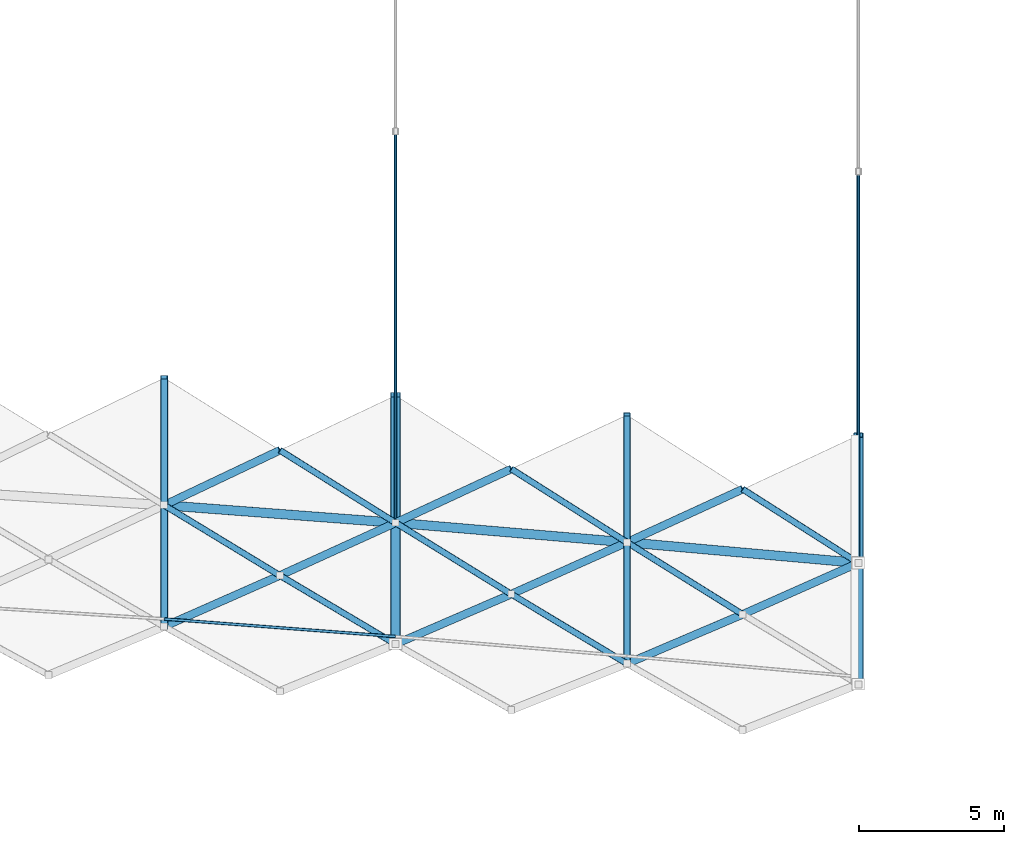
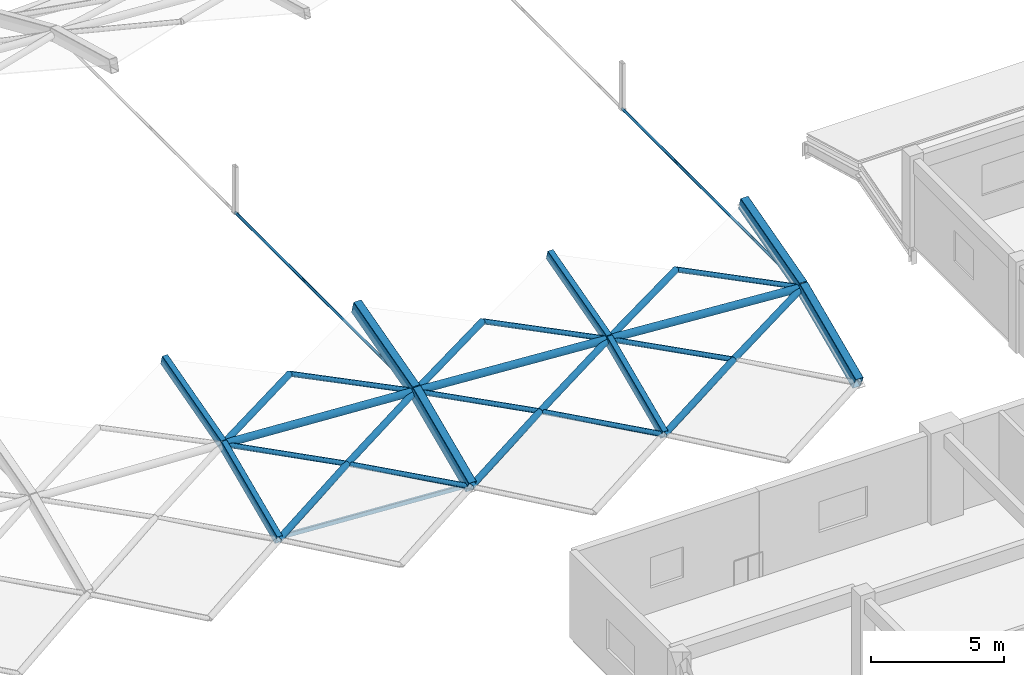
# One storey, part 13 of 54: 23 members, 8 beams.
"""IFC4 building model written with IfcOpenShell, lengths in metres."""

from ifc_helpers import new_model, si_unit, direction, frame, origin, origin_2d, place, context, subcontext, project, spatial, hollow_rectangle, hollow_circle, extrude, material, material_profile, profile_set, type_object, element, save


model = new_model("IFC4")

# Units and contexts
model_context = context("Model", 3, precision=1e-05, world=origin(), true_north=direction((0.0, 1.0)))
body_context = subcontext(model_context, "Body", "Model", "MODEL_VIEW")
ifc_project = project(units=[si_unit("LENGTHUNIT", "METRE"), si_unit("AREAUNIT", "SQUARE_METRE"), si_unit("VOLUMEUNIT", "CUBIC_METRE"), si_unit("PLANEANGLEUNIT", "RADIAN"), si_unit("MASSUNIT", "GRAM", prefix="KILO")], contexts=[model_context])

# Site, building, storey
site_placement = place(None, origin())
site = spatial("IfcSite", under=ifc_project, at=site_placement, CompositionType="ELEMENT")
building_placement = place(site_placement, origin())
building = spatial("IfcBuilding", under=site, at=building_placement, Name="Kenh Van Central Station", CompositionType="ELEMENT")
storey_placement = place(building_placement, frame((0.0, 0.0, 15.0)))
storey = spatial("IfcBuildingStorey", under=building, at=storey_placement, Name="L03", CompositionType="ELEMENT", Elevation=15.0)

# Beams
ifc_material = material(Name="White fluoropolymer structural steel S355", Category="steel")
ifc_material_profile_1 = material_profile(ifc_material, hollow_rectangle(XDim=0.35009765625, YDim=0.60009765625, WallThickness=0.01611328125, InnerFilletRadius=0.01611328125, OuterFilletRadius=0.031982421875, at=origin_2d()), Name="RHS 600x350x16")
ifc_profile_set_1 = profile_set([ifc_material_profile_1], Name="White fluoropolymer structural steel S355")
beam_type_1 = type_object("IfcBeamType", Name="BM-VAULT-ARCH600", PredefinedType="BEAM", material=ifc_profile_set_1)
beam_1_placement = place(storey_placement, frame((128.0, 71.657958984375, 2.228515625), z_axis=(0.0, 0.915771703278, 0.401699125561), x_axis=(-1.0, 0.0, 0.0)))
element("IfcBeam", 1, at=beam_1_placement, inside=storey, type_object=beam_type_1, Name="Vault transverse arch 144", PredefinedType="BEAM", context=body_context, shape_type="SweptSolid", body=[
    extrude(hollow_rectangle(XDim=0.35009765625, YDim=0.60009765625, WallThickness=0.01611328125, InnerFilletRadius=0.01611328125, OuterFilletRadius=0.031982421875, at=origin_2d()), origin(), (0.0, 0.0, 1.0), 4.58203125),
])
beam_2_placement = place(storey_placement, frame((128.0, 75.85400390625, 4.069091796875), z_axis=(0.0, 0.96438556277, 0.26450044673), x_axis=(-1.0, 0.0, 0.0)))
element("IfcBeam", 2, at=beam_2_placement, inside=storey, type_object=beam_type_1, Name="Vault transverse arch 145", PredefinedType="BEAM", context=body_context, shape_type="SweptSolid", body=[
    extrude(hollow_rectangle(XDim=0.35009765625, YDim=0.60009765625, WallThickness=0.01611328125, InnerFilletRadius=0.01611328125, OuterFilletRadius=0.031982421875, at=origin_2d()), origin(), (0.0, 0.0, 1.0), 4.584716796875),
])
beam_3_placement = place(storey_placement, frame((144.0, 70.26953125, 2.228515625), z_axis=(0.0, 0.91578030048, 0.401679525559), x_axis=(-1.0, 0.0, 0.0)))
element("IfcBeam", 3, at=beam_3_placement, inside=storey, type_object=beam_type_1, Name="Vault transverse arch 168", PredefinedType="BEAM", context=body_context, shape_type="SweptSolid", body=[
    extrude(hollow_rectangle(XDim=0.35009765625, YDim=0.60009765625, WallThickness=0.01611328125, InnerFilletRadius=0.01611328125, OuterFilletRadius=0.031982421875, at=origin_2d()), origin(), (0.0, 0.0, 1.0), 4.582275390625),
])
beam_4_placement = place(storey_placement, frame((144.0, 74.4658203125, 4.069091796875), z_axis=(0.0, 0.964381836979, 0.264514030829), x_axis=(-1.0, 0.0, 0.0)))
element("IfcBeam", 4, at=beam_4_placement, inside=storey, type_object=beam_type_1, Name="Vault transverse arch 169", PredefinedType="BEAM", context=body_context, shape_type="SweptSolid", body=[
    extrude(hollow_rectangle(XDim=0.35009765625, YDim=0.60009765625, WallThickness=0.01611328125, InnerFilletRadius=0.01611328125, OuterFilletRadius=0.031982421875, at=origin_2d()), origin(), (0.0, 0.0, 1.0), 4.58447265625),
])
ifc_material_profile_2 = material_profile(ifc_material, hollow_rectangle(XDim=0.25, YDim=0.449951171875, WallThickness=0.012451171875, InnerFilletRadius=0.012451171875, OuterFilletRadius=0.02490234375, at=origin_2d()), Name="RHS 450x250x12.5")
ifc_profile_set_2 = profile_set([ifc_material_profile_2], Name="White fluoropolymer structural steel S355")
beam_type_2 = type_object("IfcBeamType", Name="BM-VAULT-SUB450", PredefinedType="BEAM", material=ifc_profile_set_2)
beam_5_placement = place(storey_placement, frame((120.0, 72.2646484375, 2.228515625), z_axis=(0.0, 0.91578030048, 0.401679525559), x_axis=(-1.0, 0.0, 0.0)))
element("IfcBeam", 5, at=beam_5_placement, inside=storey, type_object=beam_type_2, Name="Vault transverse arch 132", PredefinedType="BEAM", context=body_context, shape_type="SweptSolid", body=[
    extrude(hollow_rectangle(XDim=0.25, YDim=0.449951171875, WallThickness=0.012451171875, InnerFilletRadius=0.012451171875, OuterFilletRadius=0.02490234375, at=origin_2d()), origin(), (0.0, 0.0, 1.0), 4.582275390625),
])
beam_6_placement = place(storey_placement, frame((120.0, 76.4609375, 4.069091796875), z_axis=(0.0, 0.964381836979, 0.264514030829), x_axis=(-1.0, 0.0, 0.0)))
element("IfcBeam", 6, at=beam_6_placement, inside=storey, type_object=beam_type_2, Name="Vault transverse arch 133", PredefinedType="BEAM", context=body_context, shape_type="SweptSolid", body=[
    extrude(hollow_rectangle(XDim=0.25, YDim=0.449951171875, WallThickness=0.012451171875, InnerFilletRadius=0.012451171875, OuterFilletRadius=0.02490234375, at=origin_2d()), origin(), (0.0, 0.0, 1.0), 4.58447265625),
])
beam_7_placement = place(storey_placement, frame((136.0, 70.9814453125, 2.228515625), z_axis=(0.0, 0.91578030048, 0.401679525559), x_axis=(-1.0, 0.0, 0.0)))
element("IfcBeam", 7, at=beam_7_placement, inside=storey, type_object=beam_type_2, Name="Vault transverse arch 156", PredefinedType="BEAM", context=body_context, shape_type="SweptSolid", body=[
    extrude(hollow_rectangle(XDim=0.25, YDim=0.449951171875, WallThickness=0.012451171875, InnerFilletRadius=0.012451171875, OuterFilletRadius=0.02490234375, at=origin_2d()), origin(), (0.0, 0.0, 1.0), 4.582275390625),
])
beam_8_placement = place(storey_placement, frame((136.0, 75.177734375, 4.069091796875), z_axis=(0.0, 0.96438556277, 0.26450044673), x_axis=(-1.0, 0.0, 0.0)))
element("IfcBeam", 8, at=beam_8_placement, inside=storey, type_object=beam_type_2, Name="Vault transverse arch 157", PredefinedType="BEAM", context=body_context, shape_type="SweptSolid", body=[
    extrude(hollow_rectangle(XDim=0.25, YDim=0.449951171875, WallThickness=0.012451171875, InnerFilletRadius=0.012451171875, OuterFilletRadius=0.02490234375, at=origin_2d()), origin(), (0.0, 0.0, 1.0), 4.584716796875),
])

# Members
ifc_material_profile_3 = material_profile(ifc_material, hollow_rectangle(XDim=0.10009765625, YDim=0.199951171875, WallThickness=0.008056640625, InnerFilletRadius=0.008056640625, OuterFilletRadius=0.01611328125, at=origin_2d()), Name="RHS 200x100x8")
ifc_profile_set_3 = profile_set([ifc_material_profile_3], Name="White fluoropolymer structural steel S355")
member_type_1 = type_object("IfcMemberType", Name="MEM-PUR-RHS200", PredefinedType="PURLIN", material=ifc_profile_set_3)
member_1_placement = place(storey_placement, frame((120.0, 72.52783203125, 2.13330078125), z_axis=(0.997136780926, -0.075619046039, 0.0), x_axis=(0.075619046039, 0.997136780926, 0.0)))
element("IfcMember", 9, at=member_1_placement, inside=storey, type_object=member_type_1, Name="Vault longitudinal purlin 012", PredefinedType="PURLIN", context=body_context, shape_type="SweptSolid", body=[
    extrude(hollow_rectangle(XDim=0.10009765625, YDim=0.199951171875, WallThickness=0.008056640625, InnerFilletRadius=0.008056640625, OuterFilletRadius=0.01611328125, at=origin_2d()), origin(), (0.0, 0.0, 1.0), 8.02294921875),
])
ifc_material_profile_4 = material_profile(ifc_material, hollow_circle(Radius=0.109619140625, WallThickness=0.008056640625, at=origin_2d()), Name="CHS 219.1x8")
ifc_profile_set_4 = profile_set([ifc_material_profile_4], Name="White fluoropolymer structural steel S355")
member_type_2 = type_object("IfcMemberType", Name="MEM-VAULT-BRC219", PredefinedType="BRACE", material=ifc_profile_set_4)
member_2_placement = place(storey_placement, frame((120.0, 76.4609375, 4.069091796875), z_axis=(0.84148717473, -0.511137717463, -0.175035906462), x_axis=(0.51915236542, 0.854681707701, 0.0)))
element("IfcMember", 10, at=member_2_placement, inside=storey, type_object=member_type_2, Name="Vault diamond grid member 0519", PredefinedType="BRACE", context=body_context, shape_type="SweptSolid", body=[
    extrude(hollow_circle(Radius=0.109619140625, WallThickness=0.008056640625, at=origin_2d()), origin(), (0.0, 0.0, 1.0), 4.75341796875),
])
member_3_placement = place(storey_placement, frame((124.0, 74.03125, 3.237060546875), z_axis=(0.840483171326, -0.498677789823, -0.211916258591), x_axis=(0.51026706297, 0.860016002437, 0.0)))
element("IfcMember", 11, at=member_3_placement, inside=storey, type_object=member_type_2, Name="Vault diamond grid member 0542", PredefinedType="BRACE", context=body_context, shape_type="SweptSolid", body=[
    extrude(hollow_circle(Radius=0.109619140625, WallThickness=0.008056640625, at=origin_2d()), origin(), (0.0, 0.0, 1.0), 4.75927734375),
])
member_4_placement = place(storey_placement, frame((124.0, 78.359619140625, 4.74560546875), z_axis=(0.838890115135, -0.525483963112, -0.141880158022), x_axis=(0.530854167719, 0.847463186584, 0.0)))
element("IfcMember", 12, at=member_4_placement, inside=storey, type_object=member_type_2, Name="Vault diamond grid member 0544", PredefinedType="BRACE", context=body_context, shape_type="SweptSolid", body=[
    extrude(hollow_circle(Radius=0.109619140625, WallThickness=0.008056640625, at=origin_2d()), origin(), (0.0, 0.0, 1.0), 4.768310546875),
])
member_5_placement = place(storey_placement, frame((128.0, 75.85400390625, 4.069091796875), z_axis=(0.837991018787, -0.517095288082, -0.174308678713), x_axis=(0.525134541028, 0.851019220593, 0.0)))
element("IfcMember", 13, at=member_5_placement, inside=storey, type_object=member_type_2, Name="Vault diamond grid member 0567", PredefinedType="BRACE", context=body_context, shape_type="SweptSolid", body=[
    extrude(hollow_circle(Radius=0.109619140625, WallThickness=0.008056640625, at=origin_2d()), origin(), (0.0, 0.0, 1.0), 4.7734375),
])
member_6_placement = place(storey_placement, frame((132.0, 73.3857421875, 3.237060546875), z_axis=(0.837748119069, -0.503548796179, -0.211226652824), x_axis=(0.515172579169, 0.857086468025, 0.0)))
element("IfcMember", 14, at=member_6_placement, inside=storey, type_object=member_type_2, Name="Vault diamond grid member 0590", PredefinedType="BRACE", context=body_context, shape_type="SweptSolid", body=[
    extrude(hollow_circle(Radius=0.109619140625, WallThickness=0.008056640625, at=origin_2d()), origin(), (0.0, 0.0, 1.0), 4.774658203125),
])
member_7_placement = place(storey_placement, frame((132.0, 77.7138671875, 4.74560546875), z_axis=(0.83606589215, -0.530093535623, -0.141402501657), x_axis=(0.535473877011, 0.844551790619, 0.0)))
element("IfcMember", 15, at=member_7_placement, inside=storey, type_object=member_type_2, Name="Vault diamond grid member 0592", PredefinedType="BRACE", context=body_context, shape_type="SweptSolid", body=[
    extrude(hollow_circle(Radius=0.109619140625, WallThickness=0.008056640625, at=origin_2d()), origin(), (0.0, 0.0, 1.0), 4.784423828125),
])
member_8_placement = place(storey_placement, frame((136.0, 75.177734375, 4.069091796875), z_axis=(0.83595022093, -0.520530038692, -0.173884176815), x_axis=(0.528582404455, 0.848881995156, 0.0)))
element("IfcMember", 16, at=member_8_placement, inside=storey, type_object=member_type_2, Name="Vault diamond grid member 0615", PredefinedType="BRACE", context=body_context, shape_type="SweptSolid", body=[
    extrude(hollow_circle(Radius=0.109619140625, WallThickness=0.008056640625, at=origin_2d()), origin(), (0.0, 0.0, 1.0), 4.784912109375),
])
member_9_placement = place(storey_placement, frame((140.0, 77.015380859375, 4.74560546875), z_axis=(0.834821509295, -0.532106995945, -0.141192041153), x_axis=(0.537491464035, 0.843269189577, 0.0)))
element("IfcMember", 17, at=member_9_placement, inside=storey, type_object=member_type_2, Name="Vault diamond grid member 0640", PredefinedType="BRACE", context=body_context, shape_type="SweptSolid", body=[
    extrude(hollow_circle(Radius=0.109619140625, WallThickness=0.008056640625, at=origin_2d()), origin(), (0.0, 0.0, 1.0), 4.79150390625),
])
ifc_material_profile_5 = material_profile(ifc_material, hollow_circle(Radius=0.05712890625, WallThickness=0.010009765625, at=origin_2d()), Name="CHS 114.3x10")
ifc_profile_set_5 = profile_set([ifc_material_profile_5], Name="White fluoropolymer structural steel S355")
member_type_3 = type_object("IfcMemberType", Name="MEM-VAULT-CBL114", PredefinedType="BRACE", material=ifc_profile_set_5)
member_10_placement = place(storey_placement, frame((128.0, 75.85400390625, 4.069091796875), z_axis=(0.0, 1.0, 0.0), x_axis=(-1.0, 0.0, 0.0)))
element("IfcMember", 18, at=member_10_placement, inside=storey, type_object=member_type_3, Name="Vault internal bowstring tension tie 13", PredefinedType="BRACE", context=body_context, shape_type="SweptSolid", body=[
    extrude(hollow_circle(Radius=0.05712890625, WallThickness=0.010009765625, at=origin_2d()), origin(), (0.0, 0.0, 1.0), 13.534423828125),
])
member_11_placement = place(storey_placement, frame((144.0, 74.4658203125, 4.069091796875), z_axis=(0.0, 1.0, 0.0), x_axis=(-1.0, 0.0, 0.0)))
element("IfcMember", 19, at=member_11_placement, inside=storey, type_object=member_type_3, Name="Vault internal bowstring tension tie 15", PredefinedType="BRACE", context=body_context, shape_type="SweptSolid", body=[
    extrude(hollow_circle(Radius=0.05712890625, WallThickness=0.010009765625, at=origin_2d()), origin(), (0.0, 0.0, 1.0), 13.5341796875),
])
ifc_material_profile_6 = material_profile(ifc_material, hollow_circle(Radius=0.136474609375, WallThickness=0.010009765625, at=origin_2d()), Name="CHS 273x10")
ifc_profile_set_6 = profile_set([ifc_material_profile_6], Name="White fluoropolymer structural steel S355")
member_type_4 = type_object("IfcMemberType", Name="MEM-VAULT-CHD273", PredefinedType="CHORD", material=ifc_profile_set_6)
member_12_placement = place(storey_placement, frame((120.0, 72.2646484375, 2.228515625), z_axis=(0.891356322354, 0.393667867954, 0.224743223123), x_axis=(-0.404003065048, 0.914757630977, 0.0)))
element("IfcMember", 20, at=member_12_placement, inside=storey, type_object=member_type_4, Name="Vault diamond grid member 0516", PredefinedType="CHORD", context=body_context, shape_type="SweptSolid", body=[
    extrude(hollow_circle(Radius=0.136474609375, WallThickness=0.010009765625, at=origin_2d()), origin(), (0.0, 0.0, 1.0), 4.487548828125),
])
member_13_placement = place(storey_placement, frame((120.0, 76.4609375, 4.069091796875), z_axis=(0.893029293964, 0.423894581247, 0.151036631688), x_axis=(-0.428813862497, 0.903392866548, 0.0)))
element("IfcMember", 21, at=member_13_placement, inside=storey, type_object=member_type_4, Name="Vault diamond grid member 0518", PredefinedType="CHORD", context=body_context, shape_type="SweptSolid", body=[
    extrude(hollow_circle(Radius=0.136474609375, WallThickness=0.010009765625, at=origin_2d()), origin(), (0.0, 0.0, 1.0), 4.479248046875),
])
member_14_placement = place(storey_placement, frame((124.0, 74.03125, 3.237060546875), z_axis=(0.894098495789, 0.407430381443, 0.185979472269), x_axis=(-0.414664776546, 0.909974243093, 0.0)))
element("IfcMember", 22, at=member_14_placement, inside=storey, type_object=member_type_4, Name="Vault diamond grid member 0541", PredefinedType="CHORD", context=body_context, shape_type="SweptSolid", body=[
    extrude(hollow_circle(Radius=0.136474609375, WallThickness=0.010009765625, at=origin_2d()), origin(), (0.0, 0.0, 1.0), 4.473876953125),
])
member_15_placement = place(storey_placement, frame((128.0, 71.657958984375, 2.228515625), z_axis=(0.894373582592, 0.38632091333, 0.225503983746), x_axis=(-0.396534758202, 0.918019708687, 0.0)))
element("IfcMember", 23, at=member_15_placement, inside=storey, type_object=member_type_4, Name="Vault diamond grid member 0564", PredefinedType="CHORD", context=body_context, shape_type="SweptSolid", body=[
    extrude(hollow_circle(Radius=0.136474609375, WallThickness=0.010009765625, at=origin_2d()), origin(), (0.0, 0.0, 1.0), 4.472412109375),
])
member_16_placement = place(storey_placement, frame((128.0, 75.85400390625, 4.069091796875), z_axis=(0.896294275368, 0.416746202988, 0.151588832827), x_axis=(-0.421618579867, 0.906773275472, 0.0)))
element("IfcMember", 24, at=member_16_placement, inside=storey, type_object=member_type_4, Name="Vault diamond grid member 0566", PredefinedType="CHORD", context=body_context, shape_type="SweptSolid", body=[
    extrude(hollow_circle(Radius=0.136474609375, WallThickness=0.010009765625, at=origin_2d()), origin(), (0.0, 0.0, 1.0), 4.462890625),
])
member_17_placement = place(storey_placement, frame((132.0, 73.3857421875, 3.237060546875), z_axis=(0.896592566382, 0.401671718582, 0.186498258437), x_axis=(-0.408844781129, 0.912603936515, 0.0)))
element("IfcMember", 25, at=member_17_placement, inside=storey, type_object=member_type_4, Name="Vault diamond grid member 0589", PredefinedType="CHORD", context=body_context, shape_type="SweptSolid", body=[
    extrude(hollow_circle(Radius=0.136474609375, WallThickness=0.010009765625, at=origin_2d()), origin(), (0.0, 0.0, 1.0), 4.46142578125),
])
member_18_placement = place(storey_placement, frame((136.0, 70.9814453125, 2.228515625), z_axis=(0.896083797461, 0.382082605534, 0.225935190876), x_axis=(-0.392224618177, 0.919869473836, 0.0)))
element("IfcMember", 26, at=member_18_placement, inside=storey, type_object=member_type_4, Name="Vault diamond grid member 0612", PredefinedType="CHORD", context=body_context, shape_type="SweptSolid", body=[
    extrude(hollow_circle(Radius=0.136474609375, WallThickness=0.010009765625, at=origin_2d()), origin(), (0.0, 0.0, 1.0), 4.4638671875),
])
member_19_placement = place(storey_placement, frame((136.0, 75.177734375, 4.069091796875), z_axis=(0.898148398823, 0.412619811886, 0.151902417794), x_axis=(-0.41746427799, 0.908693334741, 0.0)))
element("IfcMember", 27, at=member_19_placement, inside=storey, type_object=member_type_4, Name="Vault diamond grid member 0614", PredefinedType="CHORD", context=body_context, shape_type="SweptSolid", body=[
    extrude(hollow_circle(Radius=0.136474609375, WallThickness=0.010009765625, at=origin_2d()), origin(), (0.0, 0.0, 1.0), 4.45361328125),
])
member_20_placement = place(storey_placement, frame((140.0, 72.68701171875, 3.237060546875), z_axis=(0.897654765878, 0.399189002941, 0.18671920423), x_axis=(-0.406335086538, 0.913724136404, 0.0)))
element("IfcMember", 28, at=member_20_placement, inside=storey, type_object=member_type_4, Name="Vault diamond grid member 0637", PredefinedType="CHORD", context=body_context, shape_type="SweptSolid", body=[
    extrude(hollow_circle(Radius=0.136474609375, WallThickness=0.010009765625, at=origin_2d()), origin(), (0.0, 0.0, 1.0), 4.4560546875),
])
ifc_material_profile_7 = material_profile(ifc_material, hollow_circle(Radius=0.161865234375, WallThickness=0.010009765625, at=origin_2d()), Name="CHS 323.9x10")
ifc_profile_set_7 = profile_set([ifc_material_profile_7], Name="White fluoropolymer structural steel S355")
member_type_5 = type_object("IfcMemberType", Name="MEM-VAULT-CHD324", PredefinedType="CHORD", material=ifc_profile_set_7)
member_21_placement = place(storey_placement, frame((120.0, 76.4609375, 4.069091796875), z_axis=(0.997134485958, -0.075649302127, 0.0), x_axis=(0.075649302127, 0.997134485958, 0.0)))
element("IfcMember", 29, at=member_21_placement, inside=storey, type_object=member_type_5, Name="Vault longitudinal spine chord 26", PredefinedType="CHORD", context=body_context, shape_type="SweptSolid", body=[
    extrude(hollow_circle(Radius=0.161865234375, WallThickness=0.010009765625, at=origin_2d()), origin(), (0.0, 0.0, 1.0), 8.02294921875),
])
member_22_placement = place(storey_placement, frame((128.0, 75.85400390625, 4.069091796875), z_axis=(0.996446063383, -0.084233264025, 0.0), x_axis=(0.084233264025, 0.996446063383, 0.0)))
element("IfcMember", 30, at=member_22_placement, inside=storey, type_object=member_type_5, Name="Vault longitudinal spine chord 27", PredefinedType="CHORD", context=body_context, shape_type="SweptSolid", body=[
    extrude(hollow_circle(Radius=0.161865234375, WallThickness=0.010009765625, at=origin_2d()), origin(), (0.0, 0.0, 1.0), 8.028564453125),
])
member_23_placement = place(storey_placement, frame((136.0, 75.177734375, 4.069091796875), z_axis=(0.996063818854, -0.088638979974, 0.0), x_axis=(0.088638979974, 0.996063818854, 0.0)))
element("IfcMember", 31, at=member_23_placement, inside=storey, type_object=member_type_5, Name="Vault longitudinal spine chord 28", PredefinedType="CHORD", context=body_context, shape_type="SweptSolid", body=[
    extrude(hollow_circle(Radius=0.161865234375, WallThickness=0.010009765625, at=origin_2d()), origin(), (0.0, 0.0, 1.0), 8.031494140625),
])

save(model, "model.ifc")
